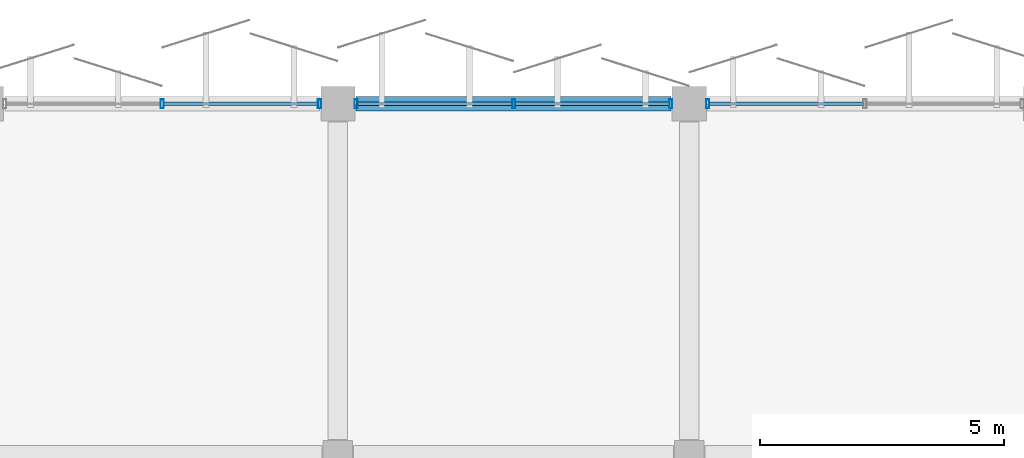
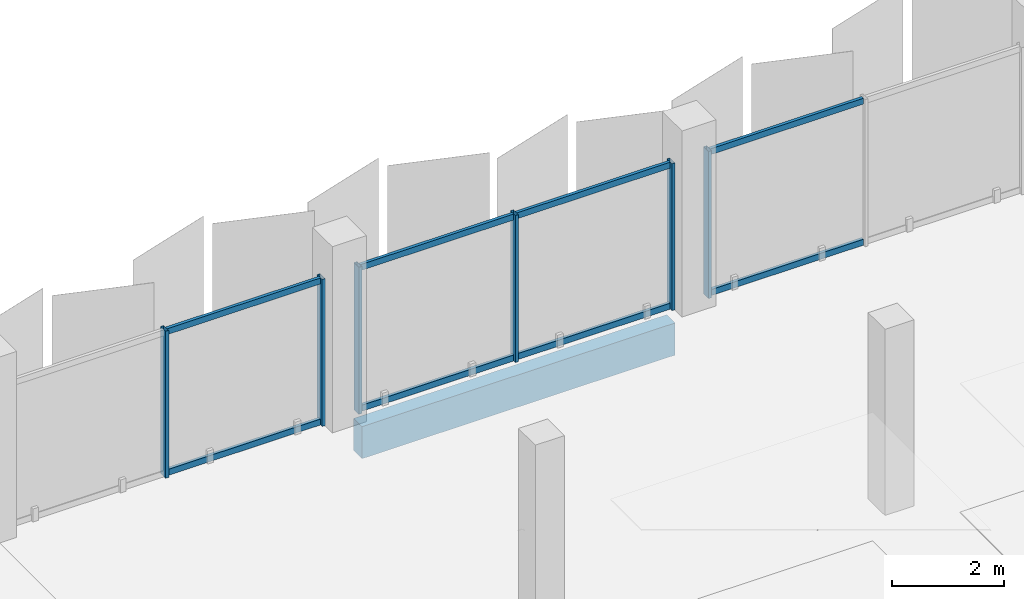
# One storey, part 50 of 107: 14 members, 1 beam, 3 elements without a shape of their own.
"""IFC4 building model written with IfcOpenShell, lengths in metres."""

from ifc_helpers import new_model, si_unit, direction, frame, origin, origin_2d, place, context, subcontext, project, spatial, rectangle, hollow_rectangle, extrude, material, layer, layer_set, material_profile, profile_set, type_object, element, aggregate, save


model = new_model("IFC4")

# Units and contexts
model_context = context("Model", 3, precision=1e-05, world=origin(), true_north=direction((0.0, 1.0)))
body_context = subcontext(model_context, "Body", "Model", "MODEL_VIEW")
ifc_project = project(units=[si_unit("LENGTHUNIT", "METRE"), si_unit("AREAUNIT", "SQUARE_METRE"), si_unit("VOLUMEUNIT", "CUBIC_METRE"), si_unit("PLANEANGLEUNIT", "RADIAN"), si_unit("MASSUNIT", "GRAM", prefix="KILO")], contexts=[model_context])

# Site, building, storey
site_placement = place(None, origin())
site = spatial("IfcSite", under=ifc_project, at=site_placement, CompositionType="ELEMENT")
building_placement = place(site_placement, origin())
building = spatial("IfcBuilding", under=site, at=building_placement, Name="Kangsadwip Square Police Headquarters", CompositionType="ELEMENT")
storey_placement = place(building_placement, frame((0.0, 0.0, 5.39990234375)))
storey = spatial("IfcBuildingStorey", under=building, at=storey_placement, Name="L01", CompositionType="ELEMENT", Elevation=5.39990234375)

# Curtain wall, members
ifc_material_1 = material(Name="Thermally broken anodised aluminium AW-6063-T6", Category="aluminium")
ifc_layer = layer(ifc_material_1, 0.159912109375)
ifc_layer_set = layer_set([ifc_layer], Name="Thermally broken anodised aluminium AW-6063-T6")
curtain_wall_type = type_object("IfcCurtainWallType", Name="UnitisedCw6510x3200", PredefinedType="NOTDEFINED", material=ifc_layer_set)
curtain_wall_1_placement = place(storey_placement, origin())
curtain_wall_1 = element("IfcCurtainWall", 1, at=curtain_wall_1_placement, inside=storey, type_object=curtain_wall_type, Name="Curtain Wall CW-L01-0939-1152", PredefinedType="NOTDEFINED")
ifc_material_2 = material(Name="Thermally broken anodised aluminium AW-6063-T6", Category="aluminium")
ifc_material_profile_1 = material_profile(ifc_material_2, hollow_rectangle(XDim=0.06494140625, YDim=0.179931640625, WallThickness=0.00390625, at=origin_2d()), Name="CWM 180X65X4")
ifc_profile_set_1 = profile_set([ifc_material_profile_1], Name="Thermally broken anodised aluminium AW-6063-T6")
member_type_1 = type_object("IfcMemberType", Name="CwMullion160x65", PredefinedType="MULLION", material=ifc_profile_set_1)
member_1_placement = place(storey_placement, frame((97.199951171875, 115.199951171875, 0.0), z_axis=(0.0, 0.0, 1.0), x_axis=(1.0, 0.0, 0.0)))
member_1 = element("IfcMember", 2, at=member_1_placement, type_object=member_type_1, Name="CW-24 mullion 2", PredefinedType="MULLION", context=body_context, shape_type="SweptSolid", body=[
    extrude(hollow_rectangle(XDim=0.06494140625, YDim=0.179931640625, WallThickness=0.00390625, at=origin_2d()), origin(), (0.0, 0.0, 1.0), 3.2001953125),
])
member_2_placement = place(storey_placement, frame((100.422607421875, 115.199951171875, 0.0), z_axis=(0.0, 0.0, 1.0), x_axis=(1.0, 0.0, 0.0)))
member_2 = element("IfcMember", 3, at=member_2_placement, type_object=member_type_1, Name="CW-24 mullion 3", PredefinedType="MULLION", context=body_context, shape_type="SweptSolid", body=[
    extrude(hollow_rectangle(XDim=0.06494140625, YDim=0.179931640625, WallThickness=0.00390625, at=origin_2d()), origin(), (0.0, 0.0, 1.0), 3.2001953125),
])

curtain_wall_2_placement = place(storey_placement, origin())
curtain_wall_2 = element("IfcCurtainWall", 4, at=curtain_wall_2_placement, inside=storey, type_object=curtain_wall_type, Name="Curtain Wall CW-L01-1011-1152", PredefinedType="NOTDEFINED")
member_3_placement = place(storey_placement, frame((101.177490234375, 115.199951171875, 0.0), z_axis=(0.0, 0.0, 1.0), x_axis=(1.0, 0.0, 0.0)))
member_3 = element("IfcMember", 5, at=member_3_placement, type_object=member_type_1, Name="CW-24 mullion 1", PredefinedType="MULLION", context=body_context, shape_type="SweptSolid", body=[
    extrude(hollow_rectangle(XDim=0.06494140625, YDim=0.179931640625, WallThickness=0.00390625, at=origin_2d()), origin(), (0.0, 0.0, 1.0), 3.2001953125),
])
member_4_placement = place(storey_placement, frame((104.39990234375, 115.199951171875, 0.0), z_axis=(0.0, 0.0, 1.0), x_axis=(1.0, 0.0, 0.0)))
member_4 = element("IfcMember", 6, at=member_4_placement, type_object=member_type_1, Name="CW-24 mullion 2", PredefinedType="MULLION", context=body_context, shape_type="SweptSolid", body=[
    extrude(hollow_rectangle(XDim=0.06494140625, YDim=0.179931640625, WallThickness=0.00390625, at=origin_2d()), origin(), (0.0, 0.0, 1.0), 3.2001953125),
])
member_5_placement = place(storey_placement, frame((107.62255859375, 115.199951171875, 0.0), z_axis=(0.0, 0.0, 1.0), x_axis=(1.0, 0.0, 0.0)))
member_5 = element("IfcMember", 7, at=member_5_placement, type_object=member_type_1, Name="CW-24 mullion 3", PredefinedType="MULLION", context=body_context, shape_type="SweptSolid", body=[
    extrude(hollow_rectangle(XDim=0.06494140625, YDim=0.179931640625, WallThickness=0.00390625, at=origin_2d()), origin(), (0.0, 0.0, 1.0), 3.2001953125),
])

# Curtain wall, member
curtain_wall_3_placement = place(storey_placement, origin())
curtain_wall_3 = element("IfcCurtainWall", 8, at=curtain_wall_3_placement, inside=storey, type_object=curtain_wall_type, Name="Curtain Wall CW-L01-1083-1152", PredefinedType="NOTDEFINED")
member_6_placement = place(storey_placement, frame((108.37744140625, 115.199951171875, 0.0), z_axis=(0.0, 0.0, 1.0), x_axis=(1.0, 0.0, 0.0)))
member_6 = element("IfcMember", 9, at=member_6_placement, type_object=member_type_1, Name="CW-24 mullion 1", PredefinedType="MULLION", context=body_context, shape_type="SweptSolid", body=[
    extrude(hollow_rectangle(XDim=0.06494140625, YDim=0.179931640625, WallThickness=0.00390625, at=origin_2d()), origin(), (0.0, 0.0, 1.0), 3.2001953125),
])

# Member
ifc_material_3 = material(Name="Thermally broken anodised aluminium AW-6063-T6", Category="aluminium")
ifc_material_profile_2 = material_profile(ifc_material_3, hollow_rectangle(XDim=0.06494140625, YDim=0.1298828125, WallThickness=0.00390625, at=origin_2d()), Name="CWT 130X65X4")
ifc_profile_set_2 = profile_set([ifc_material_profile_2], Name="Thermally broken anodised aluminium AW-6063-T6")
member_type_2 = type_object("IfcMemberType", Name="CwTransom140x60", PredefinedType="USERDEFINED", material=ifc_profile_set_2)
member_7_placement = place(storey_placement, frame((97.232421875, 115.199951171875, 0.065185546875), z_axis=(1.0, 0.0, 0.0), x_axis=(0.0, 1.0, 0.0)))
member_7 = element("IfcMember", 10, at=member_7_placement, type_object=member_type_2, Name="CW-24 transom 2.1", ObjectType="TRANSOM", PredefinedType="USERDEFINED", context=body_context, shape_type="SweptSolid", body=[
    extrude(hollow_rectangle(XDim=0.06494140625, YDim=0.1298828125, WallThickness=0.00390625, at=origin_2d()), origin(), (0.0, 0.0, 1.0), 3.157470703125),
])

member_8_placement = place(storey_placement, frame((97.232421875, 115.199951171875, 3.135009765625), z_axis=(1.0, 0.0, 0.0), x_axis=(0.0, 1.0, 0.0)))
member_8 = element("IfcMember", 11, at=member_8_placement, type_object=member_type_2, Name="CW-24 transom 2.2", ObjectType="TRANSOM", PredefinedType="USERDEFINED", context=body_context, shape_type="SweptSolid", body=[
    extrude(hollow_rectangle(XDim=0.06494140625, YDim=0.1298828125, WallThickness=0.00390625, at=origin_2d()), origin(), (0.0, 0.0, 1.0), 3.157470703125),
])

aggregate(curtain_wall_1, [member_1, member_2, member_7, member_8])

member_9_placement = place(storey_placement, frame((101.2099609375, 115.199951171875, 0.065185546875), z_axis=(1.0, 0.0, 0.0), x_axis=(0.0, 1.0, 0.0)))
member_9 = element("IfcMember", 12, at=member_9_placement, type_object=member_type_2, Name="CW-24 transom 1.1", ObjectType="TRANSOM", PredefinedType="USERDEFINED", context=body_context, shape_type="SweptSolid", body=[
    extrude(hollow_rectangle(XDim=0.06494140625, YDim=0.1298828125, WallThickness=0.00390625, at=origin_2d()), origin(), (0.0, 0.0, 1.0), 3.157470703125),
])

member_10_placement = place(storey_placement, frame((101.2099609375, 115.199951171875, 3.135009765625), z_axis=(1.0, 0.0, 0.0), x_axis=(0.0, 1.0, 0.0)))
member_10 = element("IfcMember", 13, at=member_10_placement, type_object=member_type_2, Name="CW-24 transom 1.2", ObjectType="TRANSOM", PredefinedType="USERDEFINED", context=body_context, shape_type="SweptSolid", body=[
    extrude(hollow_rectangle(XDim=0.06494140625, YDim=0.1298828125, WallThickness=0.00390625, at=origin_2d()), origin(), (0.0, 0.0, 1.0), 3.157470703125),
])

member_11_placement = place(storey_placement, frame((104.4326171875, 115.199951171875, 0.065185546875), z_axis=(1.0, 0.0, 0.0), x_axis=(0.0, 1.0, 0.0)))
member_11 = element("IfcMember", 14, at=member_11_placement, type_object=member_type_2, Name="CW-24 transom 2.1", ObjectType="TRANSOM", PredefinedType="USERDEFINED", context=body_context, shape_type="SweptSolid", body=[
    extrude(hollow_rectangle(XDim=0.06494140625, YDim=0.1298828125, WallThickness=0.00390625, at=origin_2d()), origin(), (0.0, 0.0, 1.0), 3.157470703125),
])

member_12_placement = place(storey_placement, frame((104.4326171875, 115.199951171875, 3.135009765625), z_axis=(1.0, 0.0, 0.0), x_axis=(0.0, 1.0, 0.0)))
member_12 = element("IfcMember", 15, at=member_12_placement, type_object=member_type_2, Name="CW-24 transom 2.2", ObjectType="TRANSOM", PredefinedType="USERDEFINED", context=body_context, shape_type="SweptSolid", body=[
    extrude(hollow_rectangle(XDim=0.06494140625, YDim=0.1298828125, WallThickness=0.00390625, at=origin_2d()), origin(), (0.0, 0.0, 1.0), 3.157470703125),
])

aggregate(curtain_wall_2, [member_3, member_4, member_5, member_9, member_10, member_11, member_12])

member_13_placement = place(storey_placement, frame((108.409912109375, 115.199951171875, 0.065185546875), z_axis=(1.0, 0.0, 0.0), x_axis=(0.0, 1.0, 0.0)))
member_13 = element("IfcMember", 16, at=member_13_placement, type_object=member_type_2, Name="CW-24 transom 1.1", ObjectType="TRANSOM", PredefinedType="USERDEFINED", context=body_context, shape_type="SweptSolid", body=[
    extrude(hollow_rectangle(XDim=0.06494140625, YDim=0.1298828125, WallThickness=0.00390625, at=origin_2d()), origin(), (0.0, 0.0, 1.0), 3.157470703125),
])

member_14_placement = place(storey_placement, frame((108.409912109375, 115.199951171875, 3.135009765625), z_axis=(1.0, 0.0, 0.0), x_axis=(0.0, 1.0, 0.0)))
member_14 = element("IfcMember", 17, at=member_14_placement, type_object=member_type_2, Name="CW-24 transom 1.2", ObjectType="TRANSOM", PredefinedType="USERDEFINED", context=body_context, shape_type="SweptSolid", body=[
    extrude(hollow_rectangle(XDim=0.06494140625, YDim=0.1298828125, WallThickness=0.00390625, at=origin_2d()), origin(), (0.0, 0.0, 1.0), 3.157470703125),
])

aggregate(curtain_wall_3, [member_6, member_13, member_14])

# Beam
ifc_material_4 = material(Name="Concrete M40 (40 MPa)", Category="concrete")
ifc_material_profile_3 = material_profile(ifc_material_4, rectangle(XDim=0.300048828125, YDim=0.699951171875, at=origin_2d()), Name="RC SPN 700X300")
ifc_profile_set_3 = profile_set([ifc_material_profile_3], Name="Concrete M40 (40 MPa)")
beam_type = type_object("IfcBeamType", Name="RcSpandrel700x300", PredefinedType="SPANDREL", material=ifc_profile_set_3)
beam_placement = place(storey_placement, frame((101.175048828125, 115.199951171875, -0.58984375), z_axis=(1.0, 0.0, 0.0), x_axis=(0.0, 1.0, 0.0)))
element("IfcBeam", 18, at=beam_placement, inside=storey, type_object=beam_type, Name="Beam BM-L01-X-14-16", PredefinedType="SPANDREL", context=body_context, shape_type="SweptSolid", body=[
    extrude(rectangle(XDim=0.300048828125, YDim=0.699951171875, at=origin_2d()), origin(), (0.0, 0.0, 1.0), 6.449951171875),
])

save(model, "model.ifc")
